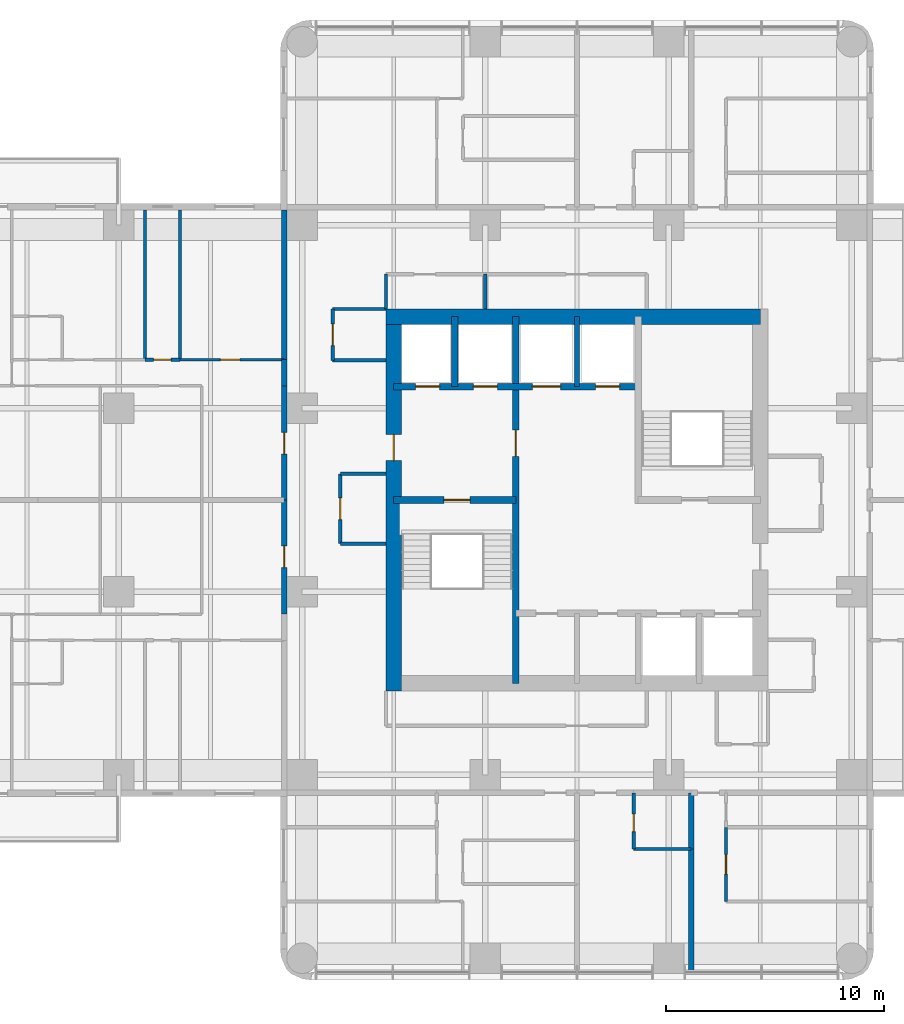
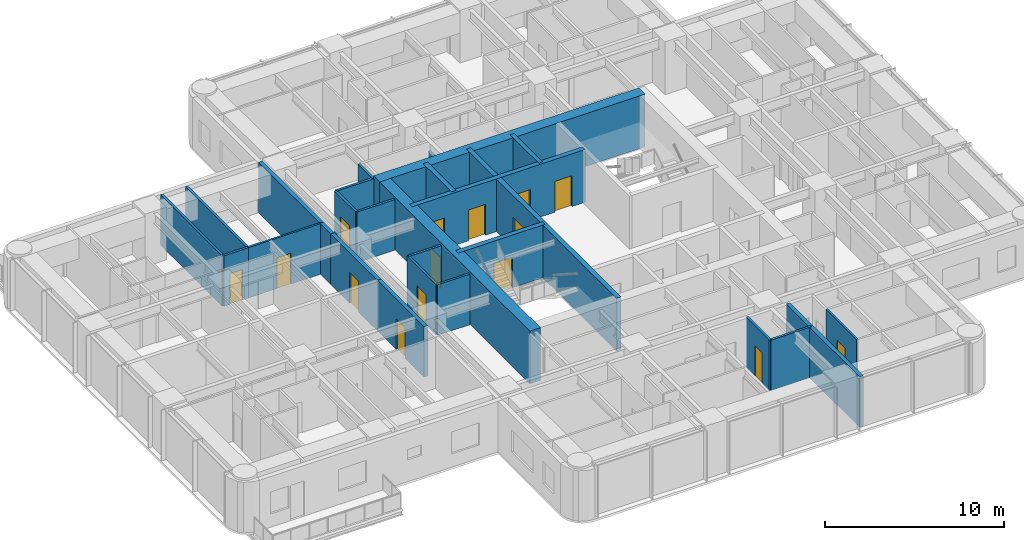
# One storey, part 6 of 11: 28 walls, 15 doors, 15 openings.
"""IFC4 building model written with IfcOpenShell, lengths in metres."""

from ifc_helpers import new_model, si_unit, direction, frame, frame_2d, origin, place, context, subcontext, project, spatial, rectangle, extrude, material, layer, layer_set, type_object, element, fill, save


model = new_model("IFC4")

# Units and contexts
model_context = context("Model", 3, precision=1e-05, world=origin(), true_north=direction((0.0, 1.0)))
body_context = subcontext(model_context, "Body", "Model", "MODEL_VIEW")
ifc_project = project(units=[si_unit("LENGTHUNIT", "METRE"), si_unit("AREAUNIT", "SQUARE_METRE"), si_unit("VOLUMEUNIT", "CUBIC_METRE"), si_unit("PLANEANGLEUNIT", "RADIAN"), si_unit("MASSUNIT", "GRAM", prefix="KILO")], contexts=[model_context])

# Site, building, storey
site_placement = place(None, origin())
site = spatial("IfcSite", under=ifc_project, at=site_placement, CompositionType="ELEMENT")
building_placement = place(site_placement, origin())
building = spatial("IfcBuilding", under=site, at=building_placement, Name="Torre Alcanfor", CompositionType="ELEMENT")
storey_placement = place(building_placement, frame((0.0, 0.0, 201.300048828125)))
storey = spatial("IfcBuildingStorey", under=building, at=storey_placement, Name="L52", CompositionType="ELEMENT", Elevation=201.300048828125)

# Wall, opening, door
ifc_material_1 = material(Name="Concrete block masonry, hollow blocks NMX-C-404 9 MPa", Category="masonry")
ifc_layer_1 = layer(ifc_material_1, 0.25)
ifc_layer_set_1 = layer_set([ifc_layer_1], Name="Apartment entrance wall 250 EI 60")
wall_type_1 = type_object("IfcWallType", Name="Apartment entrance wall 250 EI 60", PredefinedType="PARTITIONING", material=ifc_layer_set_1)
wall_1_placement = place(storey_placement, frame((15.97509765625, 24.1708984375, 0.0), z_axis=(0.0, 0.0, 1.0), x_axis=(0.0, 1.0, 0.0)))
wall_1 = element("IfcWall", 1, at=wall_1_placement, inside=storey, type_object=wall_type_1, Name="Partition L52-CORR / L52-W1-ZAG", PredefinedType="PARTITIONING", context=body_context, shape_type="SweptSolid", body=[
    extrude(rectangle(XDim=5.22900390625, YDim=0.25, at=frame_2d((2.614501953125, 0.0))), origin(), (0.0, 0.0, 1.0), 3.449951171875),
])
opening_1_placement = place(wall_1_placement, frame((2.12890625, 0.0, 0.0)))
opening_1 = element("IfcOpeningElement", 2, at=opening_1_placement, cuts=wall_1, Name="Opening D-A1", PredefinedType="OPENING", context=body_context, shape_type="SweptSolid", body=[
    extrude(rectangle(XDim=1.0, YDim=2.10009765625, at=frame_2d((0.5, 1.050048828125))), frame((0.0, 0.135009765625, 0.0), z_axis=(0.0, -1.0, 0.0), x_axis=(1.0, 0.0, 0.0)), (0.0, 0.0, 1.0), 0.27001953125),
])
ifc_material_2 = material(Name="Galvanised steel sheet ASTM A653", Category="steel")
door_type_1 = type_object("IfcDoorType", Name="Apartment entrance door FD60 1000x2100", OperationType="SINGLE_SWING_LEFT", PredefinedType="DOOR", material=ifc_material_2)
door_1_placement = place(opening_1_placement, origin())
door_1 = element("IfcDoor", 3, at=door_1_placement, inside=storey, type_object=door_type_1, Name="Apartment entrance L52-W1", OperationType="SINGLE_SWING_RIGHT", OverallHeight=2.10009765625, OverallWidth=1.0, PredefinedType="DOOR", context=body_context, shape_type="SweptSolid", body=[
    extrude(rectangle(XDim=1.0, YDim=2.10009765625, at=frame_2d((0.5, 1.050048828125))), frame((0.0, 0.02490234375, 0.0), z_axis=(0.0, -1.0, 0.0), x_axis=(1.0, 0.0, 0.0)), (0.0, 0.0, 1.0), 0.050048828125),
])
fill(opening_1, door_1)

wall_2_placement = place(storey_placement, frame((15.97509765625, 29.39990234375, 0.0), z_axis=(0.0, 0.0, 1.0), x_axis=(0.0, 1.0, 0.0)))
wall_2 = element("IfcWall", 4, at=wall_2_placement, inside=storey, type_object=wall_type_1, Name="Partition L52-CORR / L52-W2-ZAG", PredefinedType="PARTITIONING", context=body_context, shape_type="SweptSolid", body=[
    extrude(rectangle(XDim=5.22900390625, YDim=0.25, at=frame_2d((2.614501953125, 0.0))), origin(), (0.0, 0.0, 1.0), 3.449951171875),
])
opening_2_placement = place(wall_2_placement, frame((2.10009765625, 0.0, 0.0)))
opening_2 = element("IfcOpeningElement", 5, at=opening_2_placement, cuts=wall_2, Name="Opening D-A1", PredefinedType="OPENING", context=body_context, shape_type="SweptSolid", body=[
    extrude(rectangle(XDim=1.0, YDim=2.10009765625, at=frame_2d((0.5, 1.050048828125))), frame((0.0, 0.135009765625, 0.0), z_axis=(0.0, -1.0, 0.0), x_axis=(1.0, 0.0, 0.0)), (0.0, 0.0, 1.0), 0.27001953125),
])
door_2_placement = place(opening_2_placement, origin())
door_2 = element("IfcDoor", 6, at=door_2_placement, inside=storey, type_object=door_type_1, Name="Apartment entrance L52-W2", OperationType="SINGLE_SWING_LEFT", OverallHeight=2.10009765625, OverallWidth=1.0, PredefinedType="DOOR", context=body_context, shape_type="SweptSolid", body=[
    extrude(rectangle(XDim=1.0, YDim=2.10009765625, at=frame_2d((0.5, 1.050048828125))), frame((0.0, 0.02490234375, 0.0), z_axis=(0.0, -1.0, 0.0), x_axis=(1.0, 0.0, 0.0)), (0.0, 0.0, 1.0), 0.050048828125),
])
fill(opening_2, door_2)

# Walls
wall_3_placement = place(storey_placement, frame((15.97509765625, 34.62890625, 0.0), z_axis=(0.0, 0.0, 1.0), x_axis=(0.0, 1.0, 0.0)))
element("IfcWall", 7, at=wall_3_placement, inside=storey, type_object=wall_type_1, Name="Partition L52-CORR / L52-W2-HALL", PredefinedType="PARTITIONING", context=body_context, shape_type="SweptSolid", body=[
    extrude(rectangle(XDim=1.2001953125, YDim=0.25, at=frame_2d((0.60009765625, 0.0))), origin(), (0.0, 0.0, 1.0), 3.449951171875),
])
wall_4_placement = place(storey_placement, frame((15.97509765625, 35.8291015625, 0.0), z_axis=(0.0, 0.0, 1.0), x_axis=(0.0, 1.0, 0.0)))
element("IfcWall", 8, at=wall_4_placement, inside=storey, type_object=wall_type_1, Name="Partition L52-CORR / L52-W2-BED2", PredefinedType="PARTITIONING", context=body_context, shape_type="SweptSolid", body=[
    extrude(rectangle(XDim=6.870849609375, YDim=0.25, at=frame_2d((3.435546875, 0.0))), origin(), (0.0, 0.0, 1.0), 3.449951171875),
])

# Wall, opening, door
ifc_material_3 = material(Name="Gypsum board on steel studs", Category="steel")
ifc_layer_2 = layer(ifc_material_3, 0.1201171875)
ifc_layer_set_2 = layer_set([ifc_layer_2], Name="Apartment partition 120")
wall_type_2 = type_object("IfcWallType", Name="Apartment partition 120", PredefinedType="PARTITIONING", material=ifc_layer_set_2)
wall_5_placement = place(storey_placement, frame((36.22900390625, 14.39990234375, 0.0), z_axis=(0.0, 0.0, 1.0), x_axis=(0.0, -1.0, 0.0)))
wall_5 = element("IfcWall", 9, at=wall_5_placement, inside=storey, type_object=wall_type_2, Name="Partition L52-S1B-LIVING / L52-S1B-MASTER", PredefinedType="PARTITIONING", context=body_context, shape_type="SweptSolid", body=[
    extrude(rectangle(XDim=3.39990234375, YDim=0.1201171875, at=frame_2d((1.699951171875, 0.0))), origin(), (0.0, 0.0, 1.0), 3.449951171875),
])
opening_3_placement = place(wall_5_placement, frame((1.25, 0.0, 0.0)))
opening_3 = element("IfcOpeningElement", 10, at=opening_3_placement, cuts=wall_5, Name="Opening D-R1", PredefinedType="OPENING", context=body_context, shape_type="SweptSolid", body=[
    extrude(rectangle(XDim=0.89990234375, YDim=2.10009765625, at=frame_2d((0.449951171875, 1.050048828125))), frame((0.0, 0.070068359375, 0.0), z_axis=(0.0, -1.0, 0.0), x_axis=(1.0, 0.0, 0.0)), (0.0, 0.0, 1.0), 0.14013671875),
])
ifc_material_4 = material(Name="Timber", Category="wood")
door_type_2 = type_object("IfcDoorType", Name="Internal door 900x2100", OperationType="SINGLE_SWING_LEFT", PredefinedType="DOOR", material=ifc_material_4)
door_3_placement = place(opening_3_placement, origin())
door_3 = element("IfcDoor", 11, at=door_3_placement, inside=storey, type_object=door_type_2, Name="Door L52-S1B master", OperationType="SINGLE_SWING_LEFT", OverallHeight=2.10009765625, OverallWidth=0.89990234375, PredefinedType="DOOR", context=body_context, shape_type="SweptSolid", body=[
    extrude(rectangle(XDim=0.89990234375, YDim=2.10009765625, at=frame_2d((0.449951171875, 1.050048828125))), frame((0.0, 0.02490234375, 0.0), z_axis=(0.0, -1.0, 0.0), x_axis=(1.0, 0.0, 0.0)), (0.0, 0.0, 1.0), 0.050048828125),
])
fill(opening_3, door_3)

wall_6_placement = place(storey_placement, frame((11.199951171875, 35.8291015625, 0.0), z_axis=(0.0, 0.0, 1.0), x_axis=(1.0, 0.0, 0.0)))
wall_6 = element("IfcWall", 12, at=wall_6_placement, inside=storey, type_object=wall_type_2, Name="Partition L52-W2-HALL / L52-W2-BED2", PredefinedType="PARTITIONING", context=body_context, shape_type="SweptSolid", body=[
    extrude(rectangle(XDim=4.775146484375, YDim=0.1201171875, at=frame_2d((2.3876953125, 0.0))), origin(), (0.0, 0.0, 1.0), 3.449951171875),
])
opening_4_placement = place(wall_6_placement, frame((1.85009765625, 0.0, 0.0)))
opening_4 = element("IfcOpeningElement", 13, at=opening_4_placement, cuts=wall_6, Name="Opening D-R1", PredefinedType="OPENING", context=body_context, shape_type="SweptSolid", body=[
    extrude(rectangle(XDim=0.89990234375, YDim=2.10009765625, at=frame_2d((0.449951171875, 1.050048828125))), frame((0.0, 0.070068359375, 0.0), z_axis=(0.0, -1.0, 0.0), x_axis=(1.0, 0.0, 0.0)), (0.0, 0.0, 1.0), 0.14013671875),
])
door_4_placement = place(opening_4_placement, origin())
door_4 = element("IfcDoor", 14, at=door_4_placement, inside=storey, type_object=door_type_2, Name="Door L52-W2 bed2", OperationType="SINGLE_SWING_LEFT", OverallHeight=2.10009765625, OverallWidth=0.89990234375, PredefinedType="DOOR", context=body_context, shape_type="SweptSolid", body=[
    extrude(rectangle(XDim=0.89990234375, YDim=2.10009765625, at=frame_2d((0.449951171875, 1.050048828125))), frame((0.0, 0.02490234375, 0.0), z_axis=(0.0, -1.0, 0.0), x_axis=(1.0, 0.0, 0.0)), (0.0, 0.0, 1.0), 0.050048828125),
])
fill(opening_4, door_4)

ifc_material_5 = material(Name="Concrete f'c 70 MPa", Category="concrete")
ifc_layer_3 = layer(ifc_material_5, 0.300048828125)
ifc_layer_set_3 = layer_set([ifc_layer_3], Name="Core inner wall 300 f'c70")
wall_type_3 = type_object("IfcWallType", Name="Core inner wall 300 f'c70", PredefinedType="SHEAR", material=ifc_layer_set_3)
wall_7_placement = place(storey_placement, frame((26.60009765625, 21.0, 0.0), z_axis=(0.0, 0.0, 1.0), x_axis=(0.0, 1.0, 0.0)))
wall_7 = element("IfcWall", 15, at=wall_7_placement, inside=storey, type_object=wall_type_3, Name="Core wall X266 L52", PredefinedType="SHEAR", context=body_context, shape_type="SweptSolid", body=[
    extrude(rectangle(XDim=16.800048828125, YDim=0.300048828125, at=frame_2d((8.39990234375, 0.0))), origin(), (0.0, 0.0, 1.0), 3.599853515625),
])
opening_5_placement = place(wall_7_placement, frame((10.39990234375, 0.0, 0.0)))
opening_5 = element("IfcOpeningElement", 16, at=opening_5_placement, cuts=wall_7, Name="Opening D-L1", PredefinedType="OPENING", context=body_context, shape_type="SweptSolid", body=[
    extrude(rectangle(XDim=1.199951171875, YDim=2.10009765625, at=frame_2d((0.60009765625, 1.050048828125))), frame((0.0, 0.159912109375, 0.0), z_axis=(0.0, -1.0, 0.0), x_axis=(1.0, 0.0, 0.0)), (0.0, 0.0, 1.0), 0.320068359375),
])
ifc_material_6 = material(Name="Galvanised steel sheet ASTM A653", Category="steel")
door_type_3 = type_object("IfcDoorType", Name="Lobby door FD120 1200x2100", OperationType="SINGLE_SWING_LEFT", PredefinedType="DOOR", material=ifc_material_6)
door_5_placement = place(opening_5_placement, origin())
door_5 = element("IfcDoor", 17, at=door_5_placement, inside=storey, type_object=door_type_3, Name="Lift lobby door L52", OperationType="SINGLE_SWING_LEFT", OverallHeight=2.10009765625, OverallWidth=1.199951171875, PredefinedType="DOOR", context=body_context, shape_type="SweptSolid", body=[
    extrude(rectangle(XDim=1.199951171875, YDim=2.10009765625, at=frame_2d((0.60009765625, 1.050048828125))), frame((0.0, 0.02490234375, 0.0), z_axis=(0.0, -1.0, 0.0), x_axis=(1.0, 0.0, 0.0)), (0.0, 0.0, 1.0), 0.050048828125),
])
fill(opening_5, door_5)

wall_8_placement = place(storey_placement, frame((21.0, 29.39990234375, 0.0), z_axis=(0.0, 0.0, 1.0), x_axis=(1.0, 0.0, 0.0)))
wall_8 = element("IfcWall", 18, at=wall_8_placement, inside=storey, type_object=wall_type_3, Name="Core wall Y294W L52", PredefinedType="SHEAR", context=body_context, shape_type="SweptSolid", body=[
    extrude(rectangle(XDim=5.60009765625, YDim=0.300048828125, at=frame_2d((2.800048828125, 0.0))), origin(), (0.0, 0.0, 1.0), 3.599853515625),
])
opening_6_placement = place(wall_8_placement, frame((2.300048828125, 0.0, 0.0)))
opening_6 = element("IfcOpeningElement", 19, at=opening_6_placement, cuts=wall_8, Name="Opening D-S2", PredefinedType="OPENING", context=body_context, shape_type="SweptSolid", body=[
    extrude(rectangle(XDim=1.199951171875, YDim=2.10009765625, at=frame_2d((0.60009765625, 1.050048828125))), frame((0.0, 0.159912109375, 0.0), z_axis=(0.0, -1.0, 0.0), x_axis=(1.0, 0.0, 0.0)), (0.0, 0.0, 1.0), 0.320068359375),
])
ifc_material_7 = material(Name="Galvanised steel sheet ASTM A653", Category="steel")
door_type_4 = type_object("IfcDoorType", Name="Stair enclosure door FD120 1200x2100", OperationType="SINGLE_SWING_LEFT", PredefinedType="DOOR", material=ifc_material_7)
door_6_placement = place(opening_6_placement, frame((1.199951171875, 0.0, 0.0), z_axis=(0.0, 0.0, 1.0), x_axis=(-1.0, 0.0, 0.0)))
door_6 = element("IfcDoor", 20, at=door_6_placement, inside=storey, type_object=door_type_4, Name="Stair S1 door L52", OperationType="SINGLE_SWING_LEFT", OverallHeight=2.10009765625, OverallWidth=1.199951171875, PredefinedType="DOOR", context=body_context, shape_type="SweptSolid", body=[
    extrude(rectangle(XDim=1.199951171875, YDim=2.10009765625, at=frame_2d((0.599853515625, 1.050048828125))), frame((0.0, 0.025146484375, 0.0), z_axis=(0.0, -1.0, 0.0), x_axis=(1.0, 0.0, 0.0)), (0.0, 0.0, 1.0), 0.050048828125),
])
fill(opening_6, door_6)

# Wall, openings, doors
wall_9_placement = place(storey_placement, frame((21.0, 34.60009765625, 0.0), z_axis=(0.0, 0.0, 1.0), x_axis=(1.0, 0.0, 0.0)))
wall_9 = element("IfcWall", 21, at=wall_9_placement, inside=storey, type_object=wall_type_3, Name="Core wall Y346 L52", PredefinedType="SHEAR", context=body_context, shape_type="SweptSolid", body=[
    extrude(rectangle(XDim=11.199951171875, YDim=0.300048828125, at=frame_2d((5.60009765625, 0.0))), origin(), (0.0, 0.0, 1.0), 3.599853515625),
])
opening_7_placement = place(wall_9_placement, frame((9.25, 0.0, 0.0)))
opening_7 = element("IfcOpeningElement", 22, at=opening_7_placement, cuts=wall_9, Name="Opening LD1", PredefinedType="OPENING", context=body_context, shape_type="SweptSolid", body=[
    extrude(rectangle(XDim=1.10009765625, YDim=2.10009765625, at=frame_2d((0.550048828125, 1.050048828125))), frame((0.0, 0.159912109375, 0.0), z_axis=(0.0, -1.0, 0.0), x_axis=(1.0, 0.0, 0.0)), (0.0, 0.0, 1.0), 0.320068359375),
])
opening_8_placement = place(wall_9_placement, frame((1.0, 0.0, 0.0)))
opening_8 = element("IfcOpeningElement", 23, at=opening_8_placement, cuts=wall_9, Name="Opening LD2", PredefinedType="OPENING", context=body_context, shape_type="SweptSolid", body=[
    extrude(rectangle(XDim=1.10009765625, YDim=2.10009765625, at=frame_2d((0.550048828125, 1.050048828125))), frame((0.0, 0.159912109375, 0.0), z_axis=(0.0, -1.0, 0.0), x_axis=(1.0, 0.0, 0.0)), (0.0, 0.0, 1.0), 0.320068359375),
])
opening_9_placement = place(wall_9_placement, frame((3.64990234375, 0.0, 0.0)))
opening_9 = element("IfcOpeningElement", 24, at=opening_9_placement, cuts=wall_9, Name="Opening LD2", PredefinedType="OPENING", context=body_context, shape_type="SweptSolid", body=[
    extrude(rectangle(XDim=1.10009765625, YDim=2.10009765625, at=frame_2d((0.550048828125, 1.050048828125))), frame((0.0, 0.159912109375, 0.0), z_axis=(0.0, -1.0, 0.0), x_axis=(1.0, 0.0, 0.0)), (0.0, 0.0, 1.0), 0.320068359375),
])
opening_10_placement = place(wall_9_placement, frame((6.35009765625, 0.0, 0.0)))
opening_10 = element("IfcOpeningElement", 25, at=opening_10_placement, cuts=wall_9, Name="Opening LD3", PredefinedType="OPENING", context=body_context, shape_type="SweptSolid", body=[
    extrude(rectangle(XDim=1.300048828125, YDim=2.10009765625, at=frame_2d((0.64990234375, 1.050048828125))), frame((0.0, 0.159912109375, 0.0), z_axis=(0.0, -1.0, 0.0), x_axis=(1.0, 0.0, 0.0)), (0.0, 0.0, 1.0), 0.320068359375),
])
ifc_material_8 = material(Name="Galvanised steel sheet ASTM A653", Category="steel")
door_type_5 = type_object("IfcDoorType", Name="Firefighting lift landing door 1100x2100", OperationType="DOUBLE_DOOR_SLIDING", PredefinedType="DOOR", material=ifc_material_8)
door_7_placement = place(opening_8_placement, origin())
door_7 = element("IfcDoor", 26, at=door_7_placement, inside=storey, type_object=door_type_5, Name="Lift landing door FL1 L52", OperationType="DOUBLE_DOOR_SLIDING", OverallHeight=2.10009765625, OverallWidth=1.10009765625, PredefinedType="DOOR", context=body_context, shape_type="SweptSolid", body=[
    extrude(rectangle(XDim=1.10009765625, YDim=2.10009765625, at=frame_2d((0.550048828125, 1.050048828125))), frame((0.0, 0.02490234375, 0.0), z_axis=(0.0, -1.0, 0.0), x_axis=(1.0, 0.0, 0.0)), (0.0, 0.0, 1.0), 0.050048828125),
])
fill(opening_8, door_7)
door_8_placement = place(opening_9_placement, origin())
door_8 = element("IfcDoor", 27, at=door_8_placement, inside=storey, type_object=door_type_5, Name="Lift landing door FL2 L52", OperationType="DOUBLE_DOOR_SLIDING", OverallHeight=2.10009765625, OverallWidth=1.10009765625, PredefinedType="DOOR", context=body_context, shape_type="SweptSolid", body=[
    extrude(rectangle(XDim=1.10009765625, YDim=2.10009765625, at=frame_2d((0.550048828125, 1.050048828125))), frame((0.0, 0.02490234375, 0.0), z_axis=(0.0, -1.0, 0.0), x_axis=(1.0, 0.0, 0.0)), (0.0, 0.0, 1.0), 0.050048828125),
])
fill(opening_9, door_8)
ifc_material_9 = material(Name="Galvanised steel sheet ASTM A653", Category="steel")
door_type_6 = type_object("IfcDoorType", Name="Lift landing door 1100x2100", OperationType="DOUBLE_DOOR_SLIDING", PredefinedType="DOOR", material=ifc_material_9)
door_9_placement = place(opening_7_placement, origin())
door_9 = element("IfcDoor", 28, at=door_9_placement, inside=storey, type_object=door_type_6, Name="Lift landing door PA5 L52", OperationType="DOUBLE_DOOR_SLIDING", OverallHeight=2.10009765625, OverallWidth=1.10009765625, PredefinedType="DOOR", context=body_context, shape_type="SweptSolid", body=[
    extrude(rectangle(XDim=1.10009765625, YDim=2.10009765625, at=frame_2d((0.550048828125, 1.050048828125))), frame((0.0, 0.02490234375, 0.0), z_axis=(0.0, -1.0, 0.0), x_axis=(1.0, 0.0, 0.0)), (0.0, 0.0, 1.0), 0.050048828125),
])
fill(opening_7, door_9)
ifc_material_10 = material(Name="Galvanised steel sheet ASTM A653", Category="steel")
door_type_7 = type_object("IfcDoorType", Name="Service lift landing door 1300x2100", OperationType="DOUBLE_DOOR_SLIDING", PredefinedType="DOOR", material=ifc_material_10)
door_10_placement = place(opening_10_placement, origin())
door_10 = element("IfcDoor", 29, at=door_10_placement, inside=storey, type_object=door_type_7, Name="Lift landing door SL1 L52", OperationType="DOUBLE_DOOR_SLIDING", OverallHeight=2.10009765625, OverallWidth=1.300048828125, PredefinedType="DOOR", context=body_context, shape_type="SweptSolid", body=[
    extrude(rectangle(XDim=1.300048828125, YDim=2.10009765625, at=frame_2d((0.64990234375, 1.050048828125))), frame((0.0, 0.02490234375, 0.0), z_axis=(0.0, -1.0, 0.0), x_axis=(1.0, 0.0, 0.0)), (0.0, 0.0, 1.0), 0.050048828125),
])
fill(opening_10, door_10)

# Walls
wall_10_placement = place(storey_placement, frame((23.800048828125, 34.60009765625, 0.0), z_axis=(0.0, 0.0, 1.0), x_axis=(0.0, 1.0, 0.0)))
element("IfcWall", 30, at=wall_10_placement, inside=storey, type_object=wall_type_3, Name="Core wall X238 L52", PredefinedType="SHEAR", context=body_context, shape_type="SweptSolid", body=[
    extrude(rectangle(XDim=3.199951171875, YDim=0.300048828125, at=frame_2d((1.60009765625, 0.0))), origin(), (0.0, 0.0, 1.0), 3.599853515625),
])
ifc_material_11 = material(Name="Concrete f'c 70 MPa", Category="concrete")
ifc_layer_4 = layer(ifc_material_11, 0.25)
ifc_layer_set_4 = layer_set([ifc_layer_4], Name="Core shaft wall 250 f'c70")
wall_type_4 = type_object("IfcWallType", Name="Core shaft wall 250 f'c70", PredefinedType="SHEAR", material=ifc_layer_set_4)
wall_11_placement = place(storey_placement, frame((29.39990234375, 34.60009765625, 0.0), z_axis=(0.0, 0.0, 1.0), x_axis=(0.0, 1.0, 0.0)))
element("IfcWall", 31, at=wall_11_placement, inside=storey, type_object=wall_type_4, Name="Core wall X294N L52", PredefinedType="SHEAR", context=body_context, shape_type="SweptSolid", body=[
    extrude(rectangle(XDim=3.199951171875, YDim=0.25, at=frame_2d((1.60009765625, 0.0))), origin(), (0.0, 0.0, 1.0), 3.599853515625),
])
ifc_material_12 = material(Name="Concrete f'c 70 MPa", Category="concrete")
ifc_layer_5 = layer(ifc_material_12, 0.699951171875)
ifc_layer_set_5 = layer_set([ifc_layer_5], Name="Core wall 700 f'c70")
wall_type_5 = type_object("IfcWallType", Name="Core wall 700 f'c70", PredefinedType="SHEAR", material=ifc_layer_set_5)
wall_12_placement = place(storey_placement, frame((37.800048828125, 37.800048828125, 0.0), z_axis=(0.0, 0.0, 1.0), x_axis=(-1.0, 0.0, 0.0)))
element("IfcWall", 32, at=wall_12_placement, inside=storey, type_object=wall_type_5, Name="Core wall OUT-N L52", PredefinedType="SHEAR", context=body_context, shape_type="SweptSolid", body=[
    extrude(rectangle(XDim=17.150146484375, YDim=0.699951171875, at=frame_2d((8.5751953125, 0.0))), origin(), (0.0, 0.0, 1.0), 3.599853515625),
])

# Wall, opening, door
wall_13_placement = place(storey_placement, frame((21.0, 37.800048828125, 0.0), z_axis=(0.0, 0.0, 1.0), x_axis=(0.0, -1.0, 0.0)))
wall_13 = element("IfcWall", 33, at=wall_13_placement, inside=storey, type_object=wall_type_5, Name="Core wall OUT-W L52", PredefinedType="SHEAR", context=body_context, shape_type="SweptSolid", body=[
    extrude(rectangle(XDim=17.150146484375, YDim=0.699951171875, at=frame_2d((8.5751953125, 0.0))), origin(), (0.0, 0.0, 1.0), 3.599853515625),
])
opening_11_placement = place(wall_13_placement, frame((5.39990234375, 0.0, 0.0)))
opening_11 = element("IfcOpeningElement", 34, at=opening_11_placement, cuts=wall_13, Name="Opening D-L1", PredefinedType="OPENING", context=body_context, shape_type="SweptSolid", body=[
    extrude(rectangle(XDim=1.199951171875, YDim=2.10009765625, at=frame_2d((0.60009765625, 1.050048828125))), frame((0.0, 0.35986328125, 0.0), z_axis=(0.0, -1.0, 0.0), x_axis=(1.0, 0.0, 0.0)), (0.0, 0.0, 1.0), 0.719970703125),
])
door_11_placement = place(opening_11_placement, origin())
door_11 = element("IfcDoor", 35, at=door_11_placement, inside=storey, type_object=door_type_3, Name="Firefighting lobby door L52", OperationType="SINGLE_SWING_LEFT", OverallHeight=2.10009765625, OverallWidth=1.199951171875, PredefinedType="DOOR", context=body_context, shape_type="SweptSolid", body=[
    extrude(rectangle(XDim=1.199951171875, YDim=2.10009765625, at=frame_2d((0.60009765625, 1.050048828125))), frame((0.0, 0.02490234375, 0.0), z_axis=(0.0, -1.0, 0.0), x_axis=(1.0, 0.0, 0.0)), (0.0, 0.0, 1.0), 0.050048828125),
])
fill(opening_11, door_11)

# Walls
ifc_material_13 = material(Name="Concrete block masonry, hollow blocks NMX-C-404 9 MPa", Category="masonry")
ifc_layer_6 = layer(ifc_material_13, 0.25)
ifc_layer_set_6 = layer_set([ifc_layer_6], Name="Party wall 250 EI 60")
wall_type_6 = type_object("IfcWallType", Name="Party wall 250 EI 60", PredefinedType="PARTITIONING", material=ifc_layer_set_6)
wall_14_placement = place(storey_placement, frame((34.62890625, 13.39990234375, 0.0), z_axis=(0.0, 0.0, 1.0), x_axis=(0.0, -1.0, 0.0)))
element("IfcWall", 36, at=wall_14_placement, inside=storey, type_object=wall_type_6, Name="Partition L52-S1A-STUDIO / L52-S1B-LIVING", PredefinedType="PARTITIONING", context=body_context, shape_type="SweptSolid", body=[
    extrude(rectangle(XDim=5.64990234375, YDim=0.25, at=frame_2d((2.824951171875, 0.0))), origin(), (0.0, 0.0, 1.0), 3.449951171875),
])
wall_15_placement = place(storey_placement, frame((34.62890625, 13.39990234375, 0.0), z_axis=(0.0, 0.0, 1.0), x_axis=(0.0, 1.0, 0.0)))
element("IfcWall", 37, at=wall_15_placement, inside=storey, type_object=wall_type_6, Name="Partition L52-S1A-BATH / L52-S1B-LIVING", PredefinedType="PARTITIONING", context=body_context, shape_type="SweptSolid", body=[
    extrude(rectangle(XDim=2.5751953125, YDim=0.25, at=frame_2d((1.28759765625, 0.0))), origin(), (0.0, 0.0, 1.0), 3.449951171875),
])
ifc_material_14 = material(Name="Concrete block masonry, hollow blocks NMX-C-404 9 MPa", Category="masonry")
ifc_layer_7 = layer(ifc_material_14, 0.14990234375)
ifc_layer_set_7 = layer_set([ifc_layer_7], Name="Residents' room partition 150")
wall_type_7 = type_object("IfcWallType", Name="Residents' room partition 150", PredefinedType="PARTITIONING", material=ifc_layer_set_7)
wall_16_placement = place(storey_placement, frame((20.64990234375, 39.75, 0.0), z_axis=(0.0, 0.0, 1.0), x_axis=(0.0, -1.0, 0.0)))
element("IfcWall", 38, at=wall_16_placement, inside=storey, type_object=wall_type_7, Name="Partition L52-CORR / L52-G01", PredefinedType="PARTITIONING", context=body_context, shape_type="SweptSolid", body=[
    extrude(rectangle(XDim=1.60009765625, YDim=0.14990234375, at=frame_2d((0.800048828125, 0.0))), origin(), (0.0, 0.0, 1.0), 3.449951171875),
])
wall_17_placement = place(storey_placement, frame((20.64990234375, 30.60009765625, 0.0), z_axis=(0.0, 0.0, 1.0), x_axis=(-1.0, 0.0, 0.0)))
element("IfcWall", 39, at=wall_17_placement, inside=storey, type_object=wall_type_7, Name="Partition L52-CORR / L52-G07", PredefinedType="PARTITIONING", context=body_context, shape_type="SweptSolid", body=[
    extrude(rectangle(XDim=2.099853515625, YDim=0.14990234375, at=frame_2d((1.0498046875, 0.0))), origin(), (0.0, 0.0, 1.0), 3.449951171875),
])

# Wall, opening, door
wall_18_placement = place(storey_placement, frame((18.550048828125, 30.60009765625, 0.0), z_axis=(0.0, 0.0, 1.0), x_axis=(0.0, -1.0, 0.0)))
wall_18 = element("IfcWall", 40, at=wall_18_placement, inside=storey, type_object=wall_type_7, Name="Partition L52-CORR / L52-G07", PredefinedType="PARTITIONING", context=body_context, shape_type="SweptSolid", body=[
    extrude(rectangle(XDim=3.2001953125, YDim=0.14990234375, at=frame_2d((1.60009765625, 0.0))), origin(), (0.0, 0.0, 1.0), 3.449951171875),
])
opening_12_placement = place(wall_18_placement, frame((1.10009765625, 0.0, 0.0)))
opening_12 = element("IfcOpeningElement", 41, at=opening_12_placement, cuts=wall_18, Name="Opening D-M1", PredefinedType="OPENING", context=body_context, shape_type="SweptSolid", body=[
    extrude(rectangle(XDim=1.0, YDim=2.10009765625, at=frame_2d((0.5, 1.050048828125))), frame((0.0, 0.0849609375, 0.0), z_axis=(0.0, -1.0, 0.0), x_axis=(1.0, 0.0, 0.0)), (0.0, 0.0, 1.0), 0.169921875),
])
ifc_material_15 = material(Name="Timber", Category="wood")
door_type_8 = type_object("IfcDoorType", Name="Residents' room door 1000x2100", OperationType="SINGLE_SWING_LEFT", PredefinedType="DOOR", material=ifc_material_15)
door_12_placement = place(opening_12_placement, origin())
door_12 = element("IfcDoor", 42, at=door_12_placement, inside=storey, type_object=door_type_8, Name="Door L52-G07 linen store", OperationType="SINGLE_SWING_LEFT", OverallHeight=2.10009765625, OverallWidth=1.0, PredefinedType="DOOR", context=body_context, shape_type="SweptSolid", body=[
    extrude(rectangle(XDim=1.0, YDim=2.10009765625, at=frame_2d((0.5, 1.050048828125))), frame((0.0, 0.02490234375, 0.0), z_axis=(0.0, -1.0, 0.0), x_axis=(1.0, 0.0, 0.0)), (0.0, 0.0, 1.0), 0.050048828125),
])
fill(opening_12, door_12)

# Walls
wall_19_placement = place(storey_placement, frame((18.550048828125, 27.39990234375, 0.0), z_axis=(0.0, 0.0, 1.0), x_axis=(1.0, 0.0, 0.0)))
element("IfcWall", 43, at=wall_19_placement, inside=storey, type_object=wall_type_7, Name="Partition L52-CORR / L52-G07", PredefinedType="PARTITIONING", context=body_context, shape_type="SweptSolid", body=[
    extrude(rectangle(XDim=2.099853515625, YDim=0.14990234375, at=frame_2d((1.0498046875, 0.0))), origin(), (0.0, 0.0, 1.0), 3.449951171875),
])
wall_20_placement = place(storey_placement, frame((20.64990234375, 38.14990234375, 0.0), z_axis=(0.0, 0.0, 1.0), x_axis=(-1.0, 0.0, 0.0)))
element("IfcWall", 44, at=wall_20_placement, inside=storey, type_object=wall_type_7, Name="Partition L52-CORR / L52-G08", PredefinedType="PARTITIONING", context=body_context, shape_type="SweptSolid", body=[
    extrude(rectangle(XDim=2.449951171875, YDim=0.14990234375, at=frame_2d((1.22509765625, 0.0))), origin(), (0.0, 0.0, 1.0), 3.449951171875),
])

# Wall, opening, door
wall_21_placement = place(storey_placement, frame((18.199951171875, 38.14990234375, 0.0), z_axis=(0.0, 0.0, 1.0), x_axis=(0.0, -1.0, 0.0)))
wall_21 = element("IfcWall", 45, at=wall_21_placement, inside=storey, type_object=wall_type_7, Name="Partition L52-CORR / L52-G08", PredefinedType="PARTITIONING", context=body_context, shape_type="SweptSolid", body=[
    extrude(rectangle(XDim=2.349853515625, YDim=0.14990234375, at=frame_2d((1.1748046875, 0.0))), origin(), (0.0, 0.0, 1.0), 3.449951171875),
])
opening_13_placement = place(wall_21_placement, frame((0.675048828125, 0.0, 0.0)))
opening_13 = element("IfcOpeningElement", 46, at=opening_13_placement, cuts=wall_21, Name="Opening D-M1", PredefinedType="OPENING", context=body_context, shape_type="SweptSolid", body=[
    extrude(rectangle(XDim=1.0, YDim=2.10009765625, at=frame_2d((0.5, 1.050048828125))), frame((0.0, 0.0849609375, 0.0), z_axis=(0.0, -1.0, 0.0), x_axis=(1.0, 0.0, 0.0)), (0.0, 0.0, 1.0), 0.169921875),
])
door_13_placement = place(opening_13_placement, origin())
door_13 = element("IfcDoor", 47, at=door_13_placement, inside=storey, type_object=door_type_8, Name="Door L52-G08 residents' lockers", OperationType="SINGLE_SWING_LEFT", OverallHeight=2.10009765625, OverallWidth=1.0, PredefinedType="DOOR", context=body_context, shape_type="SweptSolid", body=[
    extrude(rectangle(XDim=1.0, YDim=2.10009765625, at=frame_2d((0.5, 1.050048828125))), frame((0.0, 0.02490234375, 0.0), z_axis=(0.0, -1.0, 0.0), x_axis=(1.0, 0.0, 0.0)), (0.0, 0.0, 1.0), 0.050048828125),
])
fill(opening_13, door_13)

# Walls
wall_22_placement = place(storey_placement, frame((18.199951171875, 35.800048828125, 0.0), z_axis=(0.0, 0.0, 1.0), x_axis=(1.0, 0.0, 0.0)))
element("IfcWall", 48, at=wall_22_placement, inside=storey, type_object=wall_type_7, Name="Partition L52-CORR / L52-G08", PredefinedType="PARTITIONING", context=body_context, shape_type="SweptSolid", body=[
    extrude(rectangle(XDim=2.449951171875, YDim=0.14990234375, at=frame_2d((1.22509765625, 0.0))), origin(), (0.0, 0.0, 1.0), 3.449951171875),
])
wall_23_placement = place(storey_placement, frame((25.199951171875, 38.14990234375, 0.0), z_axis=(0.0, 0.0, 1.0), x_axis=(0.0, 1.0, 0.0)))
element("IfcWall", 49, at=wall_23_placement, inside=storey, type_object=wall_type_7, Name="Partition L52-G01 / L52-G02", PredefinedType="PARTITIONING", context=body_context, shape_type="SweptSolid", body=[
    extrude(rectangle(XDim=1.60009765625, YDim=0.14990234375, at=frame_2d((0.800048828125, 0.0))), origin(), (0.0, 0.0, 1.0), 2.7666015625),
])

# Wall, opening, door
ifc_material_16 = material(Name="Cement board on steel studs", Category="steel")
ifc_layer_8 = layer(ifc_material_16, 0.14990234375)
ifc_layer_set_8 = layer_set([ifc_layer_8], Name="Wet area partition 150")
wall_type_8 = type_object("IfcWallType", Name="Wet area partition 150", PredefinedType="PARTITIONING", material=ifc_layer_set_8)
wall_24_placement = place(storey_placement, frame((32.0, 15.97509765625, 0.0), z_axis=(0.0, 0.0, 1.0), x_axis=(0.0, -1.0, 0.0)))
wall_24 = element("IfcWall", 50, at=wall_24_placement, inside=storey, type_object=wall_type_8, Name="Partition L52-S1A-STUDIO / L52-S1A-BATH", PredefinedType="PARTITIONING", context=body_context, shape_type="SweptSolid", body=[
    extrude(rectangle(XDim=2.5751953125, YDim=0.14990234375, at=frame_2d((1.28759765625, 0.0))), origin(), (0.0, 0.0, 1.0), 3.449951171875),
])
opening_14_placement = place(wall_24_placement, frame((0.97509765625, 0.0, 0.0)))
opening_14 = element("IfcOpeningElement", 51, at=opening_14_placement, cuts=wall_24, Name="Opening D-R2", PredefinedType="OPENING", context=body_context, shape_type="SweptSolid", body=[
    extrude(rectangle(XDim=0.800048828125, YDim=2.10009765625, at=frame_2d((0.39990234375, 1.050048828125))), frame((0.0, 0.0849609375, 0.0), z_axis=(0.0, -1.0, 0.0), x_axis=(1.0, 0.0, 0.0)), (0.0, 0.0, 1.0), 0.169921875),
])
ifc_material_17 = material(Name="Timber", Category="wood")
door_type_9 = type_object("IfcDoorType", Name="Bathroom door 800x2100", OperationType="SINGLE_SWING_LEFT", PredefinedType="DOOR", material=ifc_material_17)
door_14_placement = place(opening_14_placement, origin())
door_14 = element("IfcDoor", 52, at=door_14_placement, inside=storey, type_object=door_type_9, Name="Door L52-S1A bath", OperationType="SINGLE_SWING_RIGHT", OverallHeight=2.10009765625, OverallWidth=0.800048828125, PredefinedType="DOOR", context=body_context, shape_type="SweptSolid", body=[
    extrude(rectangle(XDim=0.800048828125, YDim=2.10009765625, at=frame_2d((0.39990234375, 1.050048828125))), frame((0.0, 0.02490234375, 0.0), z_axis=(0.0, -1.0, 0.0), x_axis=(1.0, 0.0, 0.0)), (0.0, 0.0, 1.0), 0.050048828125),
])
fill(opening_14, door_14)

# Wall
wall_25_placement = place(storey_placement, frame((32.0, 13.39990234375, 0.0), z_axis=(0.0, 0.0, 1.0), x_axis=(1.0, 0.0, 0.0)))
element("IfcWall", 53, at=wall_25_placement, inside=storey, type_object=wall_type_8, Name="Partition L52-S1A-STUDIO / L52-S1A-BATH", PredefinedType="PARTITIONING", context=body_context, shape_type="SweptSolid", body=[
    extrude(rectangle(XDim=2.62890625, YDim=0.14990234375, at=frame_2d((1.314453125, 0.0))), origin(), (0.0, 0.0, 1.0), 3.449951171875),
])

# Wall, opening, door
wall_26_placement = place(storey_placement, frame((9.60009765625, 35.8291015625, 0.0), z_axis=(0.0, 0.0, 1.0), x_axis=(1.0, 0.0, 0.0)))
wall_26 = element("IfcWall", 54, at=wall_26_placement, inside=storey, type_object=wall_type_8, Name="Partition L52-W2-HALL / L52-W2-BATH1", PredefinedType="PARTITIONING", context=body_context, shape_type="SweptSolid", body=[
    extrude(rectangle(XDim=1.599853515625, YDim=0.14990234375, at=frame_2d((0.7998046875, 0.0))), origin(), (0.0, 0.0, 1.0), 3.449951171875),
])
opening_15_placement = place(wall_26_placement, frame((0.39990234375, 0.0, 0.0)))
opening_15 = element("IfcOpeningElement", 55, at=opening_15_placement, cuts=wall_26, Name="Opening D-R2", PredefinedType="OPENING", context=body_context, shape_type="SweptSolid", body=[
    extrude(rectangle(XDim=0.800048828125, YDim=2.10009765625, at=frame_2d((0.39990234375, 1.050048828125))), frame((0.0, 0.0849609375, 0.0), z_axis=(0.0, -1.0, 0.0), x_axis=(1.0, 0.0, 0.0)), (0.0, 0.0, 1.0), 0.169921875),
])
door_15_placement = place(opening_15_placement, origin())
door_15 = element("IfcDoor", 56, at=door_15_placement, inside=storey, type_object=door_type_9, Name="Door L52-W2 bath1", OperationType="SINGLE_SWING_LEFT", OverallHeight=2.10009765625, OverallWidth=0.800048828125, PredefinedType="DOOR", context=body_context, shape_type="SweptSolid", body=[
    extrude(rectangle(XDim=0.800048828125, YDim=2.10009765625, at=frame_2d((0.39990234375, 1.050048828125))), frame((0.0, 0.02490234375, 0.0), z_axis=(0.0, -1.0, 0.0), x_axis=(1.0, 0.0, 0.0)), (0.0, 0.0, 1.0), 0.050048828125),
])
fill(opening_15, door_15)

# Walls
for number, where, z_axis, x_axis, name in (
    (57, (11.199951171875, 35.8291015625, 0.0), (0.0, 0.0, 1.0), (0.0, 1.0, 0.0), "Partition L52-W2-BED2 / L52-W2-BATH1"),
    (58, (9.60009765625, 35.8291015625, 0.0), (0.0, 0.0, 1.0), (0.0, 1.0, 0.0), "Partition L52-W2-BATH1 / L52-W2-MASTER"),
):
    element("IfcWall", number, at=place(storey_placement, frame(where, z_axis=z_axis, x_axis=x_axis)), inside=storey, type_object=wall_type_8, Name=name, PredefinedType="PARTITIONING", context=body_context, shape_type="SweptSolid", body=[
        extrude(rectangle(XDim=6.870849609375, YDim=0.14990234375, at=frame_2d((3.435546875, 0.0))), origin(), (0.0, 0.0, 1.0), 3.449951171875),
    ])

save(model, "model.ifc")
